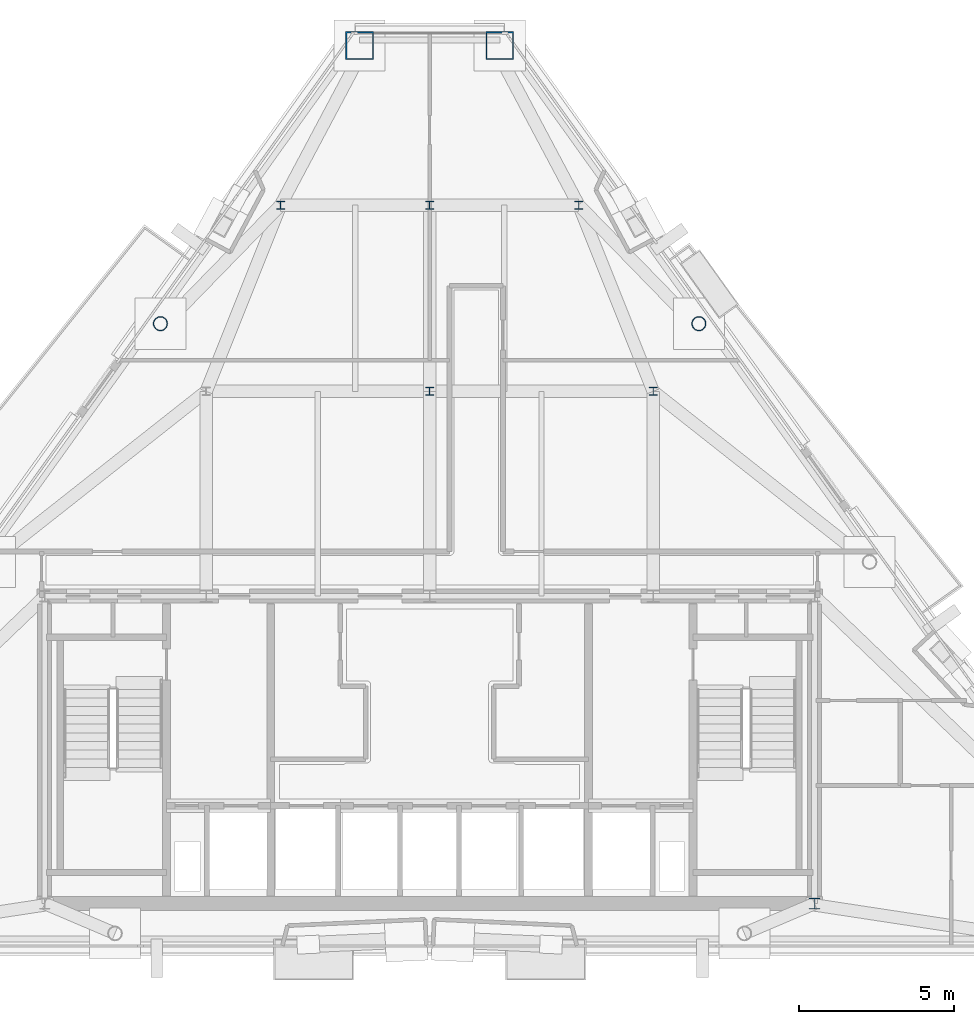
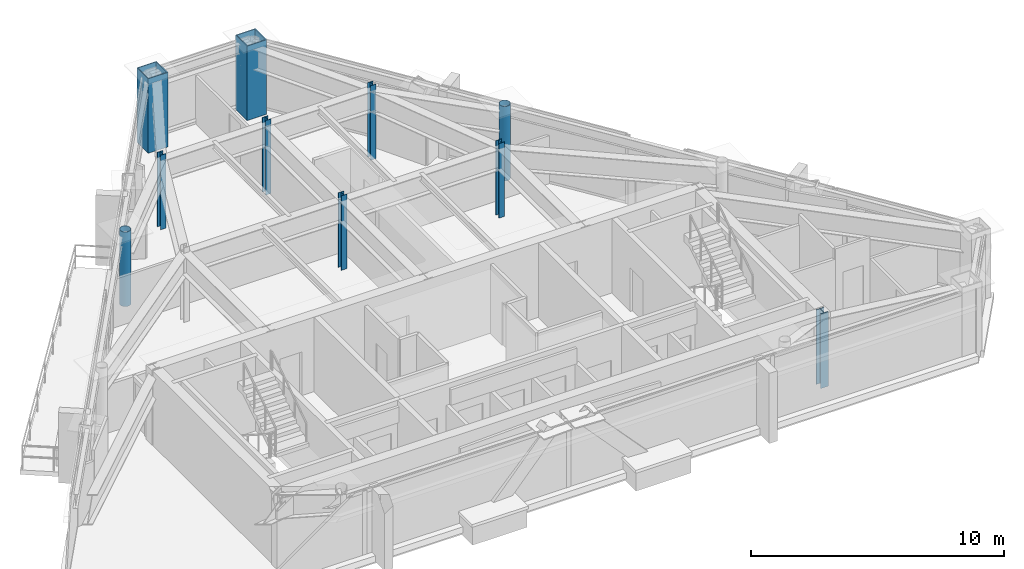
# One storey, part 2 of 12: 10 columns.
"""IFC4 building model written with IfcOpenShell, lengths in metres."""

from ifc_helpers import new_model, si_unit, direction, frame, origin, origin_2d, place, context, subcontext, project, spatial, hollow_rectangle, hollow_circle, i_section, extrude, material, material_profile, profile_set, type_object, element, save


model = new_model("IFC4")

# Units and contexts
model_context = context("Model", 3, precision=1e-05, world=origin(), true_north=direction((0.0, 1.0)))
body_context = subcontext(model_context, "Body", "Model", "MODEL_VIEW")
ifc_project = project(units=[si_unit("LENGTHUNIT", "METRE"), si_unit("AREAUNIT", "SQUARE_METRE"), si_unit("VOLUMEUNIT", "CUBIC_METRE"), si_unit("PLANEANGLEUNIT", "RADIAN"), si_unit("MASSUNIT", "GRAM", prefix="KILO")], contexts=[model_context])

# Site, building, storey
site_placement = place(None, origin())
site = spatial("IfcSite", under=ifc_project, at=site_placement, CompositionType="ELEMENT")
building_placement = place(site_placement, origin())
building = spatial("IfcBuilding", under=site, at=building_placement, Name="Talgorran Terracotta Tower", CompositionType="ELEMENT")
storey_placement = place(building_placement, frame((0.0, 0.0, 259.800048828125)))
storey = spatial("IfcBuildingStorey", under=building, at=storey_placement, Name="L68", CompositionType="ELEMENT", Elevation=259.800048828125)

# Columns
ifc_material_1 = material(Name="Steel S355 (300PLUS)", Category="steel")
ifc_material_profile_1 = material_profile(ifc_material_1, i_section(OverallWidth=0.256103515625, OverallDepth=0.260009765625, WebThickness=0.010498046875, FlangeThickness=0.017333984375, at=origin_2d()), Name="250UC89.5")
ifc_profile_set_1 = profile_set([ifc_material_profile_1], Name="Steel S355 (300PLUS)")
column_type_1 = type_object("IfcColumnType", Name="COL_250UC89", PredefinedType="COLUMN", material=ifc_profile_set_1)
for number, where, z_axis, x_axis, name in (
    (1, (0.0, 2.39990234375, 0.0), (0.0, 0.0, 1.0), (1.0, 0.0, 0.0), "L68 Interior Gravity Column IC2"),
    (2, (7.199951171875, 2.39990234375, 0.0), (0.0, 0.0, 1.0), (1.0, 0.0, 0.0), "L68 Interior Gravity Column IC3"),
    (3, (-4.800048828125, 8.39990234375, 0.0), (0.0, 0.0, 1.0), (1.0, 0.0, 0.0), "L68 Interior Gravity Column IC4"),
    (4, (0.0, 8.39990234375, 0.0), (0.0, 0.0, 1.0), (1.0, 0.0, 0.0), "L68 Interior Gravity Column IC5"),
    (5, (4.800048828125, 8.39990234375, 0.0), (0.0, 0.0, 1.0), (1.0, 0.0, 0.0), "L68 Interior Gravity Column IC6"),
):
    element("IfcColumn", number, at=place(storey_placement, frame(where, z_axis=z_axis, x_axis=x_axis)), inside=storey, type_object=column_type_1, Name=name, PredefinedType="COLUMN", context=body_context, shape_type="SweptSolid", body=[
        extrude(i_section(OverallWidth=0.256103515625, OverallDepth=0.260009765625, WebThickness=0.010498046875, FlangeThickness=0.017333984375, at=origin_2d()), origin(), (0.0, 0.0, 1.0), 3.599853515625),
    ])
ifc_material_profile_2 = material_profile(ifc_material_1, i_section(OverallWidth=0.35205078125, OverallDepth=0.35888671875, WebThickness=0.01806640625, FlangeThickness=0.02587890625, at=origin_2d()), Name="350WC197")
ifc_profile_set_2 = profile_set([ifc_material_profile_2], Name="Steel S355 (300PLUS)")
column_type_2 = type_object("IfcColumnType", Name="COL_350WC197", PredefinedType="COLUMN", material=ifc_profile_set_2)
column_placement = place(storey_placement, frame((12.39990234375, -14.10009765625, 0.0), z_axis=(0.0, 0.0, 1.0), x_axis=(1.0, 0.0, 0.0)))
element("IfcColumn", 6, at=column_placement, inside=storey, type_object=column_type_2, Name="L68 Core Boundary Column CC2", PredefinedType="COLUMN", context=body_context, shape_type="SweptSolid", body=[
    extrude(i_section(OverallWidth=0.35205078125, OverallDepth=0.35888671875, WebThickness=0.01806640625, FlangeThickness=0.02587890625, at=origin_2d()), origin(), (0.0, 0.0, 1.0), 3.599853515625),
])
ifc_material_2 = material(Name="Steel Grade 350 (350L0)", Category="steel")
ifc_material_profile_3 = material_profile(ifc_material_2, hollow_rectangle(XDim=0.89990234375, YDim=0.89990234375, WallThickness=0.0400390625, at=origin_2d()), Name="CFT900X900X40")
ifc_profile_set_3 = profile_set([ifc_material_profile_3], Name="Steel Grade 350 (350L0)")
column_type_3 = type_object("IfcColumnType", Name="COL_CFT_900", PredefinedType="COLUMN", material=ifc_profile_set_3)
for number, where, z_axis, x_axis, name in (
    (7, (2.258056640625, 13.53662109375, 0.0), (0.0, 0.0, 1.0), (1.0, 0.0, 0.0), "L68 Corner CFT Mega-Column MC5"),
    (8, (-2.258056640625, 13.53662109375, 0.0), (0.0, 0.0, 1.0), (1.0, 0.0, 0.0), "L68 Corner CFT Mega-Column MC6"),
):
    element("IfcColumn", number, at=place(storey_placement, frame(where, z_axis=z_axis, x_axis=x_axis)), inside=storey, type_object=column_type_3, Name=name, PredefinedType="COLUMN", context=body_context, shape_type="SweptSolid", body=[
        extrude(hollow_rectangle(XDim=0.89990234375, YDim=0.89990234375, WallThickness=0.0400390625, at=origin_2d()), origin(), (0.0, 0.0, 1.0), 3.599853515625),
    ])
ifc_material_3 = material(Name="Steel S350 (C350L0)", Category="steel")
ifc_material_profile_4 = material_profile(ifc_material_3, hollow_circle(Radius=0.228515625, WallThickness=0.01611328125, at=origin_2d()), Name="CHS457X16")
ifc_profile_set_4 = profile_set([ifc_material_profile_4], Name="Steel S350 (C350L0)")
column_type_4 = type_object("IfcColumnType", Name="COL_CHS_457", PredefinedType="COLUMN", material=ifc_profile_set_4)
for number, where, z_axis, x_axis, name in (
    (9, (8.672607421875, 4.5791015625, 0.0), (0.0, 0.0, 1.0), (1.0, 0.0, 0.0), "L68 Facet Perimeter Column FC4"),
    (10, (-8.672607421875, 4.5791015625, 0.0), (0.0, 0.0, 1.0), (1.0, 0.0, 0.0), "L68 Facet Perimeter Column FC5"),
):
    element("IfcColumn", number, at=place(storey_placement, frame(where, z_axis=z_axis, x_axis=x_axis)), inside=storey, type_object=column_type_4, Name=name, PredefinedType="COLUMN", context=body_context, shape_type="SweptSolid", body=[
        extrude(hollow_circle(Radius=0.228515625, WallThickness=0.01611328125, at=origin_2d()), origin(), (0.0, 0.0, 1.0), 3.599853515625),
    ])

save(model, "model.ifc")
